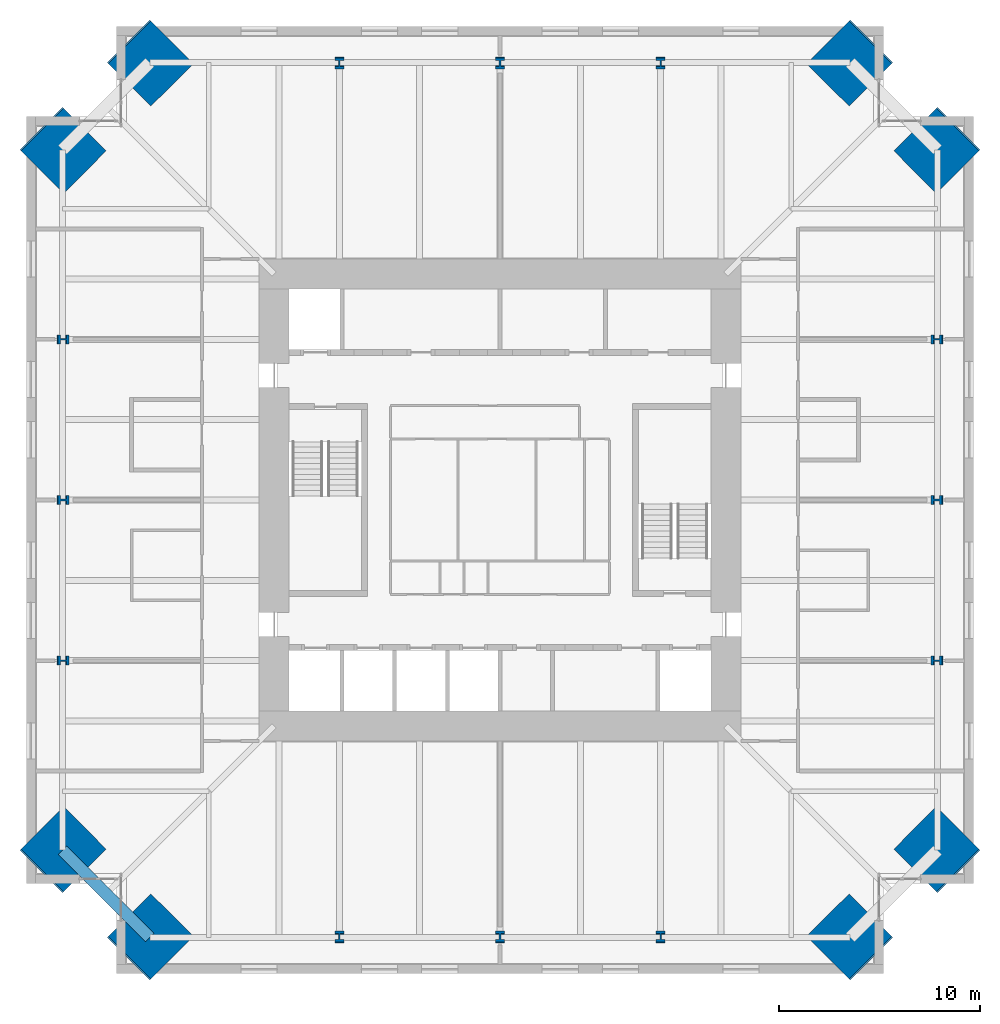
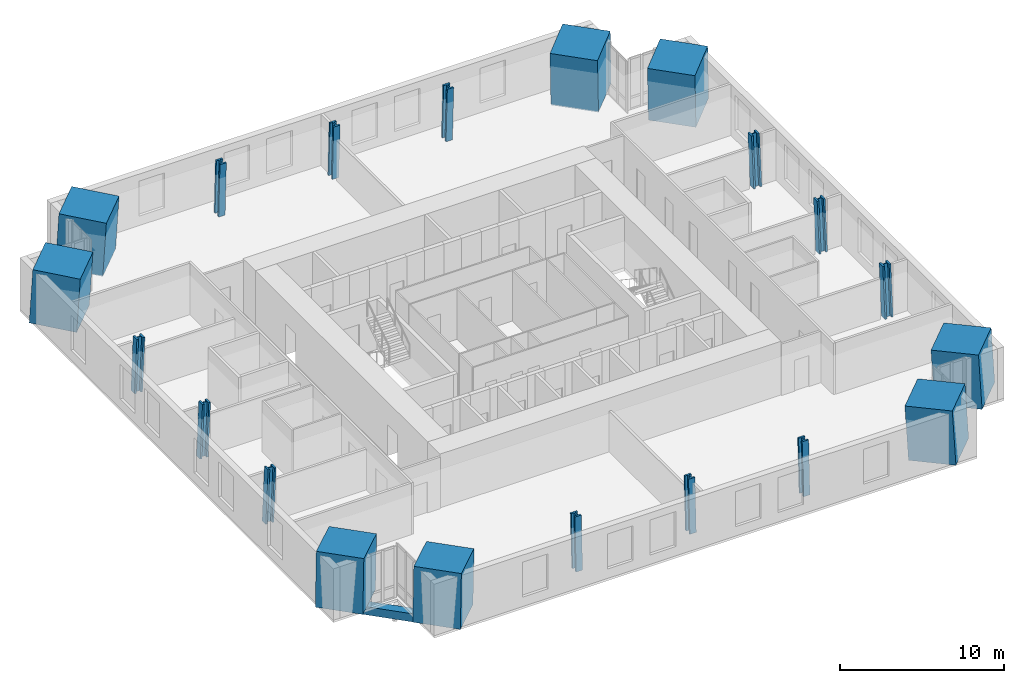
# One storey, part 1 of 15: 20 columns, 1 beam.
"""IFC4 building model written with IfcOpenShell, lengths in metres."""

from ifc_helpers import new_model, si_unit, direction, frame, origin, origin_2d, place, context, subcontext, project, spatial, rectangle, hollow_rectangle, i_section, extrude, material, material_profile, profile_set, type_object, element, save


model = new_model("IFC4")

# Units and contexts
model_context = context("Model", 3, precision=1e-05, world=origin(), true_north=direction((0.0, 1.0)))
body_context = subcontext(model_context, "Body", "Model", "MODEL_VIEW")
ifc_project = project(units=[si_unit("LENGTHUNIT", "METRE"), si_unit("AREAUNIT", "SQUARE_METRE"), si_unit("VOLUMEUNIT", "CUBIC_METRE"), si_unit("PLANEANGLEUNIT", "RADIAN"), si_unit("MASSUNIT", "GRAM", prefix="KILO")], contexts=[model_context])

# Site, building, storey
site_placement = place(None, origin())
site = spatial("IfcSite", under=ifc_project, at=site_placement, CompositionType="ELEMENT")
building_placement = place(site_placement, origin())
building = spatial("IfcBuilding", under=site, at=building_placement, Name="Peilmerk Tower", CompositionType="ELEMENT")
storey_placement = place(building_placement, frame((0.0, 0.0, 225.800048828125)))
storey = spatial("IfcBuildingStorey", under=building, at=storey_placement, Name="L49", CompositionType="ELEMENT", Elevation=225.800048828125)

# Columns
ifc_material_1 = material(Name="Concrete C90/105", Category="concrete")
ifc_material_profile_1 = material_profile(ifc_material_1, rectangle(XDim=3.0, YDim=3.0, at=origin_2d()), Name="RC 3000x3000")
ifc_profile_set_1 = profile_set([ifc_material_profile_1], Name="Concrete C90/105")
column_type_1 = type_object("IfcColumnType", Name="MC3 3000x3000 encased mega column", PredefinedType="COLUMN", material=ifc_profile_set_1)
for number, where, z_axis, x_axis, name in (
    (1, (17.44189453125, 21.7919921875, 0.0), (-0.040217894151, -0.040278830354, 0.998378754189), (0.707641859868, -0.706571297296, 0.0), "Mega column MC3 NE_N L49"),
    (2, (21.7919921875, 17.44189453125, 0.0), (-0.040278830354, -0.040217894151, 0.998378754189), (0.706571297296, -0.707641859868, 0.0), "Mega column MC3 NE_E L49"),
    (3, (21.7919921875, -17.44189453125, 0.0), (-0.040278830354, 0.040217894151, 0.998378754189), (-0.706571297296, -0.707641859868, 0.0), "Mega column MC3 SE_E L49"),
    (4, (17.44189453125, -21.7919921875, 0.0), (-0.040217894151, 0.040278830354, 0.998378754189), (-0.707641859868, -0.706571297296, 0.0), "Mega column MC3 SE_S L49"),
    (5, (-17.44189453125, -21.7919921875, 0.0), (0.040217894151, 0.040278830354, 0.998378754189), (-0.707641859868, 0.706571297296, 0.0), "Mega column MC3 SW_S L49"),
    (6, (-21.7919921875, -17.44189453125, 0.0), (0.040278830354, 0.040217894151, 0.998378754189), (-0.706571297296, 0.707641859868, 0.0), "Mega column MC3 SW_W L49"),
    (7, (-21.7919921875, 17.44189453125, 0.0), (0.040278830354, -0.040217894151, 0.998378754189), (0.706571297296, 0.707641859868, 0.0), "Mega column MC3 NW_W L49"),
    (8, (-17.44189453125, 21.7919921875, 0.0), (0.040217894151, -0.040278830354, 0.998378754189), (0.707641859868, 0.706571297296, 0.0), "Mega column MC3 NW_N L49"),
):
    element("IfcColumn", number, at=place(storey_placement, frame(where, z_axis=z_axis, x_axis=x_axis)), inside=storey, type_object=column_type_1, Name=name, PredefinedType="COLUMN", context=body_context, shape_type="SweptSolid", body=[
        extrude(rectangle(XDim=3.0, YDim=3.0, at=origin_2d()), origin(), (0.0, 0.0, 1.0), 4.006591796875),
    ])
ifc_material_2 = material(Name="Steel S460", Category="steel")
ifc_material_profile_2 = material_profile(ifc_material_2, i_section(OverallWidth=0.4541015625, OverallDepth=0.569091796875, WebThickness=0.077880859375, FlangeThickness=0.125, at=origin_2d()), Name="HD 400x1086")
ifc_profile_set_2 = profile_set([ifc_material_profile_2], Name="Steel S460")
column_type_2 = type_object("IfcColumnType", Name="SC6 HD 400x1086 interior column", PredefinedType="COLUMN", material=ifc_profile_set_2)
for number, where, z_axis, x_axis, name in (
    (9, (0.0, 21.7919921875, 0.0), (0.0, -0.040311445006, 0.999187163349), (1.0, 0.0, 0.0), "Perimeter column N+0 L49"),
    (10, (8.0, 21.7919921875, 0.0), (0.0, -0.040311445006, 0.999187163349), (1.0, 0.0, 0.0), "Perimeter column N-8 L49"),
    (11, (-8.0, 21.7919921875, 0.0), (0.0, -0.040311445006, 0.999187163349), (1.0, 0.0, 0.0), "Perimeter column N+8 L49"),
    (12, (21.7919921875, 0.0, 0.0), (-0.040311445006, 0.0, 0.999187163349), (0.0, -1.0, 0.0), "Perimeter column E+0 L49"),
    (13, (21.7919921875, -8.0, 0.0), (-0.040311445006, 0.0, 0.999187163349), (0.0, -1.0, 0.0), "Perimeter column E-8 L49"),
    (14, (21.7919921875, 8.0, 0.0), (-0.040311445006, 0.0, 0.999187163349), (0.0, -1.0, 0.0), "Perimeter column E+8 L49"),
    (15, (0.0, -21.7919921875, 0.0), (0.0, 0.040311445006, 0.999187163349), (-1.0, 0.0, 0.0), "Perimeter column S+0 L49"),
    (16, (-8.0, -21.7919921875, 0.0), (0.0, 0.040311445006, 0.999187163349), (-1.0, 0.0, 0.0), "Perimeter column S-8 L49"),
    (17, (8.0, -21.7919921875, 0.0), (0.0, 0.040311445006, 0.999187163349), (-1.0, 0.0, 0.0), "Perimeter column S+8 L49"),
    (18, (-21.7919921875, 0.0, 0.0), (0.040311445006, 0.0, 0.999187163349), (0.0, 1.0, 0.0), "Perimeter column W+0 L49"),
    (19, (-21.7919921875, 8.0, 0.0), (0.040311445006, 0.0, 0.999187163349), (0.0, 1.0, 0.0), "Perimeter column W-8 L49"),
    (20, (-21.7919921875, -8.0, 0.0), (0.040311445006, 0.0, 0.999187163349), (0.0, 1.0, 0.0), "Perimeter column W+8 L49"),
):
    element("IfcColumn", number, at=place(storey_placement, frame(where, z_axis=z_axis, x_axis=x_axis)), inside=storey, type_object=column_type_2, Name=name, PredefinedType="COLUMN", context=body_context, shape_type="SweptSolid", body=[
        extrude(i_section(OverallWidth=0.4541015625, OverallDepth=0.569091796875, WebThickness=0.077880859375, FlangeThickness=0.125, at=origin_2d()), origin(), (0.0, 0.0, 1.0), 4.003173828125),
    ])

# Beam
ifc_material_profile_3 = material_profile(ifc_material_2, hollow_rectangle(XDim=0.60009765625, YDim=0.60009765625, WallThickness=0.06005859375, at=origin_2d()), Name="BOX 600x600x60")
ifc_profile_set_3 = profile_set([ifc_material_profile_3], Name="Steel S460")
beam_type = type_object("IfcBeamType", Name="B20 BOX 600x600x60 notch beam", PredefinedType="SPANDREL", material=ifc_profile_set_3)
beam_placement = place(storey_placement, frame((-17.44189453125, -21.7919921875, -0.469970703125), z_axis=(-0.707106781187, 0.707106781187, 0.0), x_axis=(-0.707106781187, -0.707106781187, 0.0)))
element("IfcBeam", 21, at=beam_placement, inside=storey, type_object=beam_type, Name="Notch beam L49", PredefinedType="SPANDREL", context=body_context, shape_type="SweptSolid", body=[
    extrude(hollow_rectangle(XDim=0.60009765625, YDim=0.60009765625, WallThickness=0.06005859375, at=origin_2d()), origin(), (0.0, 0.0, 1.0), 6.15185546875),
])

save(model, "model.ifc")
